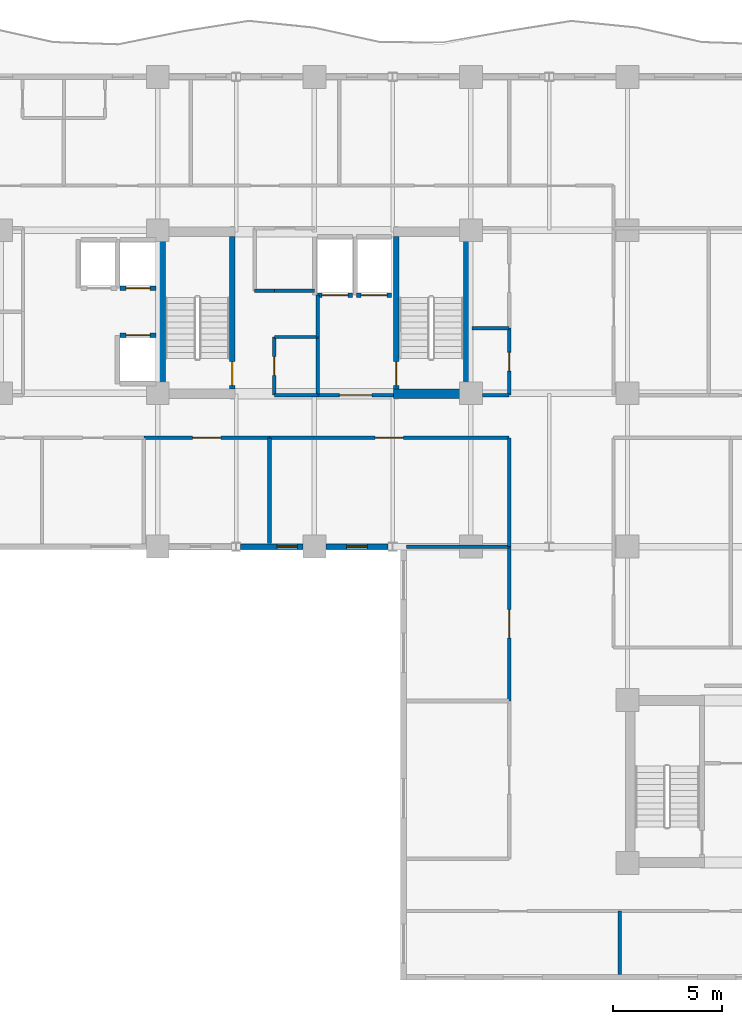
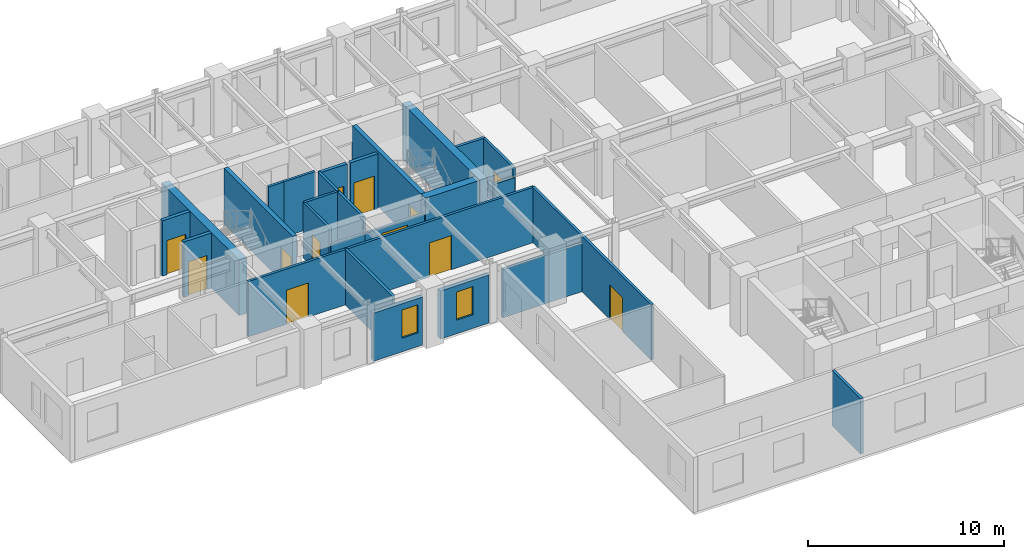
# One storey, part 5 of 13: 29 walls, 12 doors, 2 windows, 14 openings.
"""IFC4 building model written with IfcOpenShell, lengths in metres."""

from ifc_helpers import new_model, si_unit, direction, frame, frame_2d, origin, place, context, subcontext, project, spatial, rectangle, extrude, material, layer, layer_set, type_object, element, fill, save


model = new_model("IFC4")

# Units and contexts
model_context = context("Model", 3, precision=1e-05, world=origin(), true_north=direction((0.0, 1.0)))
body_context = subcontext(model_context, "Body", "Model", "MODEL_VIEW")
ifc_project = project(units=[si_unit("LENGTHUNIT", "METRE"), si_unit("AREAUNIT", "SQUARE_METRE"), si_unit("VOLUMEUNIT", "CUBIC_METRE"), si_unit("PLANEANGLEUNIT", "RADIAN"), si_unit("MASSUNIT", "GRAM", prefix="KILO")], contexts=[model_context])

# Site, building, storey
site_placement = place(None, origin())
site = spatial("IfcSite", under=ifc_project, at=site_placement, CompositionType="ELEMENT")
building_placement = place(site_placement, origin())
building = spatial("IfcBuilding", under=site, at=building_placement, Name="Kaliganga Portal Commons", CompositionType="ELEMENT")
storey_placement = place(building_placement, frame((0.0, 0.0, 162.39990234375)))
storey = spatial("IfcBuildingStorey", under=building, at=storey_placement, Name="L41", CompositionType="ELEMENT", Elevation=162.39990234375)

# Walls
ifc_material_1 = material(Name="Concrete C60/75", Category="concrete")
ifc_layer_1 = layer(ifc_material_1, 0.449951171875)
ifc_layer_set_1 = layer_set([ifc_layer_1], Name="Concrete C60/75")
wall_type_1 = type_object("IfcWallType", Name="WL-CORE-450", PredefinedType="SHEAR", material=ifc_layer_set_1)
for number, where, z_axis, x_axis, name in (
    (1, (14.52490234375, 28.39990234375, 0.0), (0.0, 0.0, 1.0), (0.0, 1.0, 0.0), "Core A West Shear Wall L41"),
    (2, (28.675048828125, 28.39990234375, 0.0), (0.0, 0.0, 1.0), (0.0, 1.0, 0.0), "Core A East Shear Wall L41"),
):
    element("IfcWall", number, at=place(storey_placement, frame(where, z_axis=z_axis, x_axis=x_axis)), inside=storey, type_object=wall_type_1, Name=name, PredefinedType="SHEAR", context=body_context, shape_type="SweptSolid", body=[
        extrude(rectangle(XDim=7.900146484375, YDim=0.449951171875, at=frame_2d((3.9501953125, 0.0))), origin(), (0.0, 0.0, 1.0), 3.460205078125),
    ])
wall_1_placement = place(storey_placement, frame((25.25, 28.625, 0.0), z_axis=(0.0, 0.0, 1.0), x_axis=(1.0, 0.0, 0.0)))
element("IfcWall", 3, at=wall_1_placement, inside=storey, type_object=wall_type_1, Name="Core A S-East Shear Wall L41", PredefinedType="SHEAR", context=body_context, shape_type="SweptSolid", body=[
    extrude(rectangle(XDim=3.199951171875, YDim=0.449951171875, at=frame_2d((1.60009765625, 0.0))), origin(), (0.0, 0.0, 1.0), 3.460205078125),
])

# Wall, opening, window
ifc_material_2 = material(Name="Insulated Aluminium-Clad Spandrel Assembly", Category="aluminium")
ifc_layer_2 = layer(ifc_material_2, 0.260009765625)
ifc_layer_set_2 = layer_set([ifc_layer_2], Name="Insulated Aluminium-Clad Spandrel Assembly")
wall_type_2 = type_object("IfcWallType", Name="WL-EXT-SPAND-260", PredefinedType="STANDARD", material=ifc_layer_set_2)
wall_2_placement = place(storey_placement, frame((21.073974609375, 21.60009765625, 0.0), z_axis=(0.0, 0.0, 1.0), x_axis=(-1.0, 0.0, 0.0)))
wall_2 = element("IfcWall", 4, at=wall_2_placement, inside=storey, type_object=wall_type_2, Name="Exterior Envelope Wall L41 P1-E04-S3", PredefinedType="STANDARD", context=body_context, shape_type="SweptSolid", body=[
    extrude(rectangle(XDim=2.87109375, YDim=0.260009765625, at=frame_2d((1.435546875, 0.0))), origin(), (0.0, 0.0, 1.0), 2.989990234375),
])
opening_1_placement = place(wall_2_placement, frame((0.24853515625, 0.0, 0.85009765625)))
opening_1 = element("IfcOpeningElement", 5, at=opening_1_placement, cuts=wall_2, Name="Opening W-04", PredefinedType="OPENING", context=body_context, shape_type="SweptSolid", body=[
    extrude(rectangle(XDim=0.949951171875, YDim=1.75, at=frame_2d((0.47509765625, 0.875))), frame((0.0, 0.14013671875, 0.0), z_axis=(0.0, -1.0, 0.0), x_axis=(1.0, 0.0, 0.0)), (0.0, 0.0, 1.0), 0.280029296875),
])
ifc_material_3 = material(Name="Thermally Broken Aluminium and Low-E Double Glazing", Category="aluminium")
window_type = type_object("IfcWindowType", Name="WIN-NARROW-950", PartitioningType="SINGLE_PANEL", PredefinedType="WINDOW", material=ifc_material_3)
window_1_placement = place(opening_1_placement, origin())
window_1 = element("IfcWindow", 6, at=window_1_placement, inside=storey, type_object=window_type, Name="Facade Window L41-P1E04S3-N1", OverallHeight=1.75, OverallWidth=0.949951171875, PartitioningType="SINGLE_PANEL", PredefinedType="WINDOW", context=body_context, shape_type="SweptSolid", body=[
    extrude(rectangle(XDim=0.949951171875, YDim=1.75, at=frame_2d((0.47509765625, 0.875))), frame((0.0, 0.030029296875, 0.0), z_axis=(0.0, -1.0, 0.0), x_axis=(1.0, 0.0, 0.0)), (0.0, 0.0, 1.0), 0.06005859375),
])
fill(opening_1, window_1)

wall_3_placement = place(storey_placement, frame((24.9970703125, 21.60009765625, 0.0), z_axis=(0.0, 0.0, 1.0), x_axis=(-1.0, 0.0, 0.0)))
wall_3 = element("IfcWall", 7, at=wall_3_placement, inside=storey, type_object=wall_type_2, Name="Exterior Envelope Wall L41 P1-E04-S4", PredefinedType="STANDARD", context=body_context, shape_type="SweptSolid", body=[
    extrude(rectangle(XDim=2.87109375, YDim=0.260009765625, at=frame_2d((1.435546875, 0.0))), origin(), (0.0, 0.0, 1.0), 2.989990234375),
])
opening_2_placement = place(wall_3_placement, frame((0.96044921875, 0.0, 0.85009765625)))
opening_2 = element("IfcOpeningElement", 8, at=opening_2_placement, cuts=wall_3, Name="Opening W-04", PredefinedType="OPENING", context=body_context, shape_type="SweptSolid", body=[
    extrude(rectangle(XDim=0.949951171875, YDim=1.75, at=frame_2d((0.47509765625, 0.875))), frame((0.0, 0.14013671875, 0.0), z_axis=(0.0, -1.0, 0.0), x_axis=(1.0, 0.0, 0.0)), (0.0, 0.0, 1.0), 0.280029296875),
])
window_2_placement = place(opening_2_placement, origin())
window_2 = element("IfcWindow", 9, at=window_2_placement, inside=storey, type_object=window_type, Name="Facade Window L41-P1E04S4-00", OverallHeight=1.75, OverallWidth=0.949951171875, PartitioningType="SINGLE_PANEL", PredefinedType="WINDOW", context=body_context, shape_type="SweptSolid", body=[
    extrude(rectangle(XDim=0.949951171875, YDim=1.75, at=frame_2d((0.47509765625, 0.875))), frame((0.0, 0.030029296875, 0.0), z_axis=(0.0, -1.0, 0.0), x_axis=(1.0, 0.0, 0.0)), (0.0, 0.0, 1.0), 0.06005859375),
])
fill(opening_2, window_2)

# Wall, opening, door
ifc_material_4 = material(Name="Fire-Rated Gypsum Board on Steel Stud", Category="steel")
ifc_layer_3 = layer(ifc_material_4, 0.14990234375)
ifc_layer_set_3 = layer_set([ifc_layer_3], Name="Fire-Rated Gypsum Board on Steel Stud")
wall_type_3 = type_object("IfcWallType", Name="WL-PART-CORR-150", PredefinedType="PARTITIONING", material=ifc_layer_set_3)
wall_4_placement = place(storey_placement, frame((19.5400390625, 26.60009765625, 0.0), z_axis=(0.0, 0.0, 1.0), x_axis=(1.0, 0.0, 0.0)))
wall_4 = element("IfcWall", 10, at=wall_4_placement, inside=storey, type_object=wall_type_3, Name="Interior Partition L41-012", PredefinedType="PARTITIONING", context=body_context, shape_type="SweptSolid", body=[
    extrude(rectangle(XDim=11.02001953125, YDim=0.14990234375, at=frame_2d((5.510009765625, 0.0))), origin(), (0.0, 0.0, 1.0), 3.440185546875),
])
opening_3_placement = place(wall_4_placement, frame((4.860107421875, 0.0, 0.0)))
opening_3 = element("IfcOpeningElement", 11, at=opening_3_placement, cuts=wall_4, Name="Opening RD-03", PredefinedType="OPENING", context=body_context, shape_type="SweptSolid", body=[
    extrude(rectangle(XDim=1.300048828125, YDim=2.1201171875, at=frame_2d((0.64990234375, 1.06005859375))), frame((0.0, 0.0849609375, 0.0), z_axis=(0.0, -1.0, 0.0), x_axis=(1.0, 0.0, 0.0)), (0.0, 0.0, 1.0), 0.169921875),
])
ifc_material_5 = material(Name="Glazed Timber Seminar Vision Door", Category="wood")
door_type_1 = type_object("IfcDoorType", Name="DR-STUDY-1300", OperationType="DOUBLE_DOOR_SINGLE_SWING", PredefinedType="DOOR", material=ifc_material_5)
door_1_placement = place(opening_3_placement, origin())
door_1 = element("IfcDoor", 12, at=door_1_placement, inside=storey, type_object=door_type_1, Name="Interior Door L41-AS05", OperationType="DOUBLE_DOOR_SINGLE_SWING", OverallHeight=2.1201171875, OverallWidth=1.300048828125, PredefinedType="DOOR", context=body_context, shape_type="SweptSolid", body=[
    extrude(rectangle(XDim=1.300048828125, YDim=2.1201171875, at=frame_2d((0.64990234375, 1.06005859375))), frame((0.0, 0.02490234375, 0.0), z_axis=(0.0, -1.0, 0.0), x_axis=(1.0, 0.0, 0.0)), (0.0, 0.0, 1.0), 0.050048828125),
])
fill(opening_3, door_1)

wall_5_placement = place(storey_placement, frame((30.56005859375, 14.5, 0.0), z_axis=(0.0, 0.0, 1.0), x_axis=(0.0, 1.0, 0.0)))
wall_5 = element("IfcWall", 13, at=wall_5_placement, inside=storey, type_object=wall_type_3, Name="Interior Partition L41-024", PredefinedType="PARTITIONING", context=body_context, shape_type="SweptSolid", body=[
    extrude(rectangle(XDim=7.10009765625, YDim=0.14990234375, at=frame_2d((3.550048828125, 0.0))), origin(), (0.0, 0.0, 1.0), 3.440185546875),
])
opening_4_placement = place(wall_5_placement, frame((2.89990234375, 0.0, 0.0)))
opening_4 = element("IfcOpeningElement", 14, at=opening_4_placement, cuts=wall_5, Name="Opening RD-03", PredefinedType="OPENING", context=body_context, shape_type="SweptSolid", body=[
    extrude(rectangle(XDim=1.300048828125, YDim=2.1201171875, at=frame_2d((0.64990234375, 1.06005859375))), frame((0.0, 0.0849609375, 0.0), z_axis=(0.0, -1.0, 0.0), x_axis=(1.0, 0.0, 0.0)), (0.0, 0.0, 1.0), 0.169921875),
])
door_2_placement = place(opening_4_placement, origin())
door_2 = element("IfcDoor", 15, at=door_2_placement, inside=storey, type_object=door_type_1, Name="Interior Door L41-KW02", OperationType="DOUBLE_DOOR_SINGLE_SWING", OverallHeight=2.1201171875, OverallWidth=1.300048828125, PredefinedType="DOOR", context=body_context, shape_type="SweptSolid", body=[
    extrude(rectangle(XDim=1.300048828125, YDim=2.1201171875, at=frame_2d((0.64990234375, 1.06005859375))), frame((0.0, 0.02490234375, 0.0), z_axis=(0.0, -1.0, 0.0), x_axis=(1.0, 0.0, 0.0)), (0.0, 0.0, 1.0), 0.050048828125),
])
fill(opening_4, door_2)

wall_6_placement = place(storey_placement, frame((13.760009765625, 26.60009765625, 0.0), z_axis=(0.0, 0.0, 1.0), x_axis=(1.0, 0.0, 0.0)))
wall_6 = element("IfcWall", 16, at=wall_6_placement, inside=storey, type_object=wall_type_3, Name="Interior Partition L41-030", PredefinedType="PARTITIONING", context=body_context, shape_type="SweptSolid", body=[
    extrude(rectangle(XDim=5.780029296875, YDim=0.14990234375, at=frame_2d((2.89013671875, 0.0))), origin(), (0.0, 0.0, 1.0), 3.440185546875),
])
opening_5_placement = place(wall_6_placement, frame((2.239990234375, 0.0, 0.0)))
opening_5 = element("IfcOpeningElement", 17, at=opening_5_placement, cuts=wall_6, Name="Opening RD-03", PredefinedType="OPENING", context=body_context, shape_type="SweptSolid", body=[
    extrude(rectangle(XDim=1.300048828125, YDim=2.1201171875, at=frame_2d((0.64990234375, 1.06005859375))), frame((0.0, 0.0849609375, 0.0), z_axis=(0.0, -1.0, 0.0), x_axis=(1.0, 0.0, 0.0)), (0.0, 0.0, 1.0), 0.169921875),
])
door_3_placement = place(opening_5_placement, origin())
door_3 = element("IfcDoor", 18, at=door_3_placement, inside=storey, type_object=door_type_1, Name="Interior Door L41-AS04", OperationType="DOUBLE_DOOR_SINGLE_SWING", OverallHeight=2.1201171875, OverallWidth=1.300048828125, PredefinedType="DOOR", context=body_context, shape_type="SweptSolid", body=[
    extrude(rectangle(XDim=1.300048828125, YDim=2.1201171875, at=frame_2d((0.64990234375, 1.06005859375))), frame((0.0, 0.02490234375, 0.0), z_axis=(0.0, -1.0, 0.0), x_axis=(1.0, 0.0, 0.0)), (0.0, 0.0, 1.0), 0.050048828125),
])
fill(opening_5, door_3)

# Wall
wall_7_placement = place(storey_placement, frame((30.56005859375, 21.60009765625, 0.0), z_axis=(0.0, 0.0, 1.0), x_axis=(0.0, 1.0, 0.0)))
element("IfcWall", 19, at=wall_7_placement, inside=storey, type_object=wall_type_3, Name="Interior Partition L41-035", PredefinedType="PARTITIONING", context=body_context, shape_type="SweptSolid", body=[
    extrude(rectangle(XDim=5.0, YDim=0.14990234375, at=frame_2d((2.5, 0.0))), origin(), (0.0, 0.0, 1.0), 3.440185546875),
])

# Wall, opening, door
wall_8_placement = place(storey_placement, frame((30.56005859375, 28.56005859375, 0.0), z_axis=(0.0, 0.0, 1.0), x_axis=(0.0, 1.0, 0.0)))
wall_8 = element("IfcWall", 20, at=wall_8_placement, inside=storey, type_object=wall_type_3, Name="Interior Partition L41-051", PredefinedType="PARTITIONING", context=body_context, shape_type="SweptSolid", body=[
    extrude(rectangle(XDim=3.079833984375, YDim=0.14990234375, at=frame_2d((1.5400390625, 0.0))), origin(), (0.0, 0.0, 1.0), 3.440185546875),
])
opening_6_placement = place(wall_8_placement, frame((1.110107421875, 0.0, 0.0)))
opening_6 = element("IfcOpeningElement", 21, at=opening_6_placement, cuts=wall_8, Name="Opening WD-02", PredefinedType="OPENING", context=body_context, shape_type="SweptSolid", body=[
    extrude(rectangle(XDim=0.860107421875, YDim=2.02001953125, at=frame_2d((0.43017578125, 1.010009765625))), frame((0.0, 0.0849609375, 0.0), z_axis=(0.0, -1.0, 0.0), x_axis=(1.0, 0.0, 0.0)), (0.0, 0.0, 1.0), 0.169921875),
])
ifc_material_6 = material(Name="Fire-Rated Utility Closet Door", Category="wood")
door_type_2 = type_object("IfcDoorType", Name="DR-STORE-800", OperationType="NOTDEFINED", PredefinedType="DOOR", material=ifc_material_6)
door_4_placement = place(opening_6_placement, origin())
door_4 = element("IfcDoor", 22, at=door_4_placement, inside=storey, type_object=door_type_2, Name="Interior Door L41-CSRV_A1", OperationType="SINGLE_SWING_RIGHT", OverallHeight=2.02001953125, OverallWidth=0.860107421875, PredefinedType="DOOR", context=body_context, shape_type="SweptSolid", body=[
    extrude(rectangle(XDim=0.860107421875, YDim=2.02001953125, at=frame_2d((0.43017578125, 1.010009765625))), frame((0.0, 0.02490234375, 0.0), z_axis=(0.0, -1.0, 0.0), x_axis=(1.0, 0.0, 0.0)), (0.0, 0.0, 1.0), 0.050048828125),
])
fill(opening_6, door_4)

wall_9_placement = place(storey_placement, frame((19.760009765625, 28.56005859375, 0.0), z_axis=(0.0, 0.0, 1.0), x_axis=(0.0, 1.0, 0.0)))
wall_9 = element("IfcWall", 23, at=wall_9_placement, inside=storey, type_object=wall_type_3, Name="Interior Partition L41-058", PredefinedType="PARTITIONING", context=body_context, shape_type="SweptSolid", body=[
    extrude(rectangle(XDim=2.679931640625, YDim=0.14990234375, at=frame_2d((1.33984375, 0.0))), origin(), (0.0, 0.0, 1.0), 3.440185546875),
])
opening_7_placement = place(wall_9_placement, frame((0.909912109375, 0.0, 0.0)))
opening_7 = element("IfcOpeningElement", 24, at=opening_7_placement, cuts=wall_9, Name="Opening WD-02", PredefinedType="OPENING", context=body_context, shape_type="SweptSolid", body=[
    extrude(rectangle(XDim=0.860107421875, YDim=2.02001953125, at=frame_2d((0.43017578125, 1.010009765625))), frame((0.0, 0.0849609375, 0.0), z_axis=(0.0, -1.0, 0.0), x_axis=(1.0, 0.0, 0.0)), (0.0, 0.0, 1.0), 0.169921875),
])
door_5_placement = place(opening_7_placement, origin())
door_5 = element("IfcDoor", 25, at=door_5_placement, inside=storey, type_object=door_type_2, Name="Interior Door L41-CIN_A1", OperationType="SINGLE_SWING_RIGHT", OverallHeight=2.02001953125, OverallWidth=0.860107421875, PredefinedType="DOOR", context=body_context, shape_type="SweptSolid", body=[
    extrude(rectangle(XDim=0.860107421875, YDim=2.02001953125, at=frame_2d((0.43017578125, 1.010009765625))), frame((0.0, 0.02490234375, 0.0), z_axis=(0.0, -1.0, 0.0), x_axis=(1.0, 0.0, 0.0)), (0.0, 0.0, 1.0), 0.050048828125),
])
fill(opening_7, door_5)

# Walls
wall_10_placement = place(storey_placement, frame((21.760009765625, 28.56005859375, 0.0), z_axis=(0.0, 0.0, 1.0), x_axis=(0.0, 1.0, 0.0)))
element("IfcWall", 26, at=wall_10_placement, inside=storey, type_object=wall_type_3, Name="Interior Partition L41-059", PredefinedType="PARTITIONING", context=body_context, shape_type="SweptSolid", body=[
    extrude(rectangle(XDim=2.679931640625, YDim=0.14990234375, at=frame_2d((1.33984375, 0.0))), origin(), (0.0, 0.0, 1.0), 3.440185546875),
])
wall_11_placement = place(storey_placement, frame((19.760009765625, 28.56005859375, 0.0), z_axis=(0.0, 0.0, 1.0), x_axis=(1.0, 0.0, 0.0)))
element("IfcWall", 27, at=wall_11_placement, inside=storey, type_object=wall_type_3, Name="Interior Partition L41-061", PredefinedType="PARTITIONING", context=body_context, shape_type="SweptSolid", body=[
    extrude(rectangle(XDim=2.0, YDim=0.14990234375, at=frame_2d((1.0, 0.0))), origin(), (0.0, 0.0, 1.0), 2.440185546875),
])
wall_12_placement = place(storey_placement, frame((19.760009765625, 31.239990234375, 0.0), z_axis=(0.0, 0.0, 1.0), x_axis=(1.0, 0.0, 0.0)))
element("IfcWall", 28, at=wall_12_placement, inside=storey, type_object=wall_type_3, Name="Interior Partition L41-062", PredefinedType="PARTITIONING", context=body_context, shape_type="SweptSolid", body=[
    extrude(rectangle(XDim=2.0, YDim=0.14990234375, at=frame_2d((1.0, 0.0))), origin(), (0.0, 0.0, 1.0), 3.440185546875),
])
wall_13_placement = place(storey_placement, frame((19.760009765625, 33.360107421875, 0.0), z_axis=(0.0, 0.0, 1.0), x_axis=(1.0, 0.0, 0.0)))
element("IfcWall", 29, at=wall_13_placement, inside=storey, type_object=wall_type_3, Name="Interior Partition L41-064", PredefinedType="PARTITIONING", context=body_context, shape_type="SweptSolid", body=[
    extrude(rectangle(XDim=1.85009765625, YDim=0.14990234375, at=frame_2d((0.925048828125, 0.0))), origin(), (0.0, 0.0, 1.0), 3.440185546875),
])
wall_14_placement = place(storey_placement, frame((29.324951171875, 28.56005859375, 0.0), z_axis=(0.0, 0.0, 1.0), x_axis=(1.0, 0.0, 0.0)))
element("IfcWall", 30, at=wall_14_placement, inside=storey, type_object=wall_type_3, Name="Interior Partition L41-065", PredefinedType="PARTITIONING", context=body_context, shape_type="SweptSolid", body=[
    extrude(rectangle(XDim=1.235107421875, YDim=0.14990234375, at=frame_2d((0.61767578125, 0.0))), origin(), (0.0, 0.0, 1.0), 2.840087890625),
])
wall_15_placement = place(storey_placement, frame((18.860107421875, 33.360107421875, 0.0), z_axis=(0.0, 0.0, 1.0), x_axis=(1.0, 0.0, 0.0)))
element("IfcWall", 31, at=wall_15_placement, inside=storey, type_object=wall_type_3, Name="Interior Partition L41-067", PredefinedType="PARTITIONING", context=body_context, shape_type="SweptSolid", body=[
    extrude(rectangle(XDim=0.89990234375, YDim=0.14990234375, at=frame_2d((0.449951171875, 0.0))), origin(), (0.0, 0.0, 1.0), 3.440185546875),
])

# Wall, opening, door
wall_16_placement = place(storey_placement, frame((21.760009765625, 28.56005859375, 0.0), z_axis=(0.0, 0.0, 1.0), x_axis=(1.0, 0.0, 0.0)))
wall_16 = element("IfcWall", 32, at=wall_16_placement, inside=storey, type_object=wall_type_3, Name="Interior Partition L41-088", PredefinedType="PARTITIONING", context=body_context, shape_type="SweptSolid", body=[
    extrude(rectangle(XDim=3.47998046875, YDim=0.14990234375, at=frame_2d((1.739990234375, 0.0))), origin(), (0.0, 0.0, 1.0), 2.440185546875),
])
opening_8_placement = place(wall_16_placement, frame((0.989990234375, 0.0, 0.0)))
opening_8 = element("IfcOpeningElement", 33, at=opening_8_placement, cuts=wall_16, Name="Opening FD-01", PredefinedType="OPENING", context=body_context, shape_type="SweptSolid", body=[
    extrude(rectangle(XDim=1.5, YDim=2.10009765625, at=frame_2d((0.75, 1.050048828125))), frame((0.0, 0.0849609375, 0.0), z_axis=(0.0, -1.0, 0.0), x_axis=(1.0, 0.0, 0.0)), (0.0, 0.0, 1.0), 0.169921875),
])
ifc_material_7 = material(Name="Fire-Rated Hardwood and Georgian-Wired Vision Panel", Category="wood")
door_type_3 = type_object("IfcDoorType", Name="DR-LOBBY-1500", OperationType="DOUBLE_DOOR_SINGLE_SWING", PredefinedType="DOOR", material=ifc_material_7)
door_6_placement = place(opening_8_placement, origin())
door_6 = element("IfcDoor", 34, at=door_6_placement, inside=storey, type_object=door_type_3, Name="Interior Door L41-FFLOB_A", OperationType="DOUBLE_DOOR_SINGLE_SWING", OverallHeight=2.10009765625, OverallWidth=1.5, PredefinedType="DOOR", context=body_context, shape_type="SweptSolid", body=[
    extrude(rectangle(XDim=1.5, YDim=2.10009765625, at=frame_2d((0.75, 1.050048828125))), frame((0.0, 0.02490234375, 0.0), z_axis=(0.0, -1.0, 0.0), x_axis=(1.0, 0.0, 0.0)), (0.0, 0.0, 1.0), 0.050048828125),
])
fill(opening_8, door_6)

# Walls
wall_17_placement = place(storey_placement, frame((21.760009765625, 31.239990234375, 0.0), z_axis=(0.0, 0.0, 1.0), x_axis=(0.0, 1.0, 0.0)))
element("IfcWall", 35, at=wall_17_placement, inside=storey, type_object=wall_type_3, Name="Interior Partition L41-094", PredefinedType="PARTITIONING", context=body_context, shape_type="SweptSolid", body=[
    extrude(rectangle(XDim=1.919921875, YDim=0.14990234375, at=frame_2d((0.9599609375, 0.0))), origin(), (0.0, 0.0, 1.0), 3.440185546875),
])
ifc_material_8 = material(Name="Twin-Stud Acoustic Gypsum Partition", Category="gypsum")
ifc_layer_4 = layer(ifc_material_8, 0.1650390625)
ifc_layer_set_4 = layer_set([ifc_layer_4], Name="Twin-Stud Acoustic Gypsum Partition")
wall_type_4 = type_object("IfcWallType", Name="WL-PART-UNIT-165", PredefinedType="PARTITIONING", material=ifc_layer_set_4)
wall_18_placement = place(storey_placement, frame((19.5400390625, 21.73193359375, 0.0), z_axis=(0.0, 0.0, 1.0), x_axis=(0.0, 1.0, 0.0)))
element("IfcWall", 36, at=wall_18_placement, inside=storey, type_object=wall_type_4, Name="Interior Partition L41-079", PredefinedType="PARTITIONING", context=body_context, shape_type="SweptSolid", body=[
    extrude(rectangle(XDim=4.8681640625, YDim=0.1650390625, at=frame_2d((2.43408203125, 0.0))), origin(), (0.0, 0.0, 1.0), 3.440185546875),
])
wall_19_placement = place(storey_placement, frame((25.83203125, 21.60009765625, 0.0), z_axis=(0.0, 0.0, 1.0), x_axis=(1.0, 0.0, 0.0)))
element("IfcWall", 37, at=wall_19_placement, inside=storey, type_object=wall_type_4, Name="Interior Partition L41-083", PredefinedType="PARTITIONING", context=body_context, shape_type="SweptSolid", body=[
    extrude(rectangle(XDim=4.72802734375, YDim=0.1650390625, at=frame_2d((2.364013671875, 0.0))), origin(), (0.0, 0.0, 1.0), 2.989990234375),
])
wall_20_placement = place(storey_placement, frame((35.639892578125, 1.931884765625, 0.0), z_axis=(0.0, 0.0, 1.0), x_axis=(0.0, 1.0, 0.0)))
element("IfcWall", 38, at=wall_20_placement, inside=storey, type_object=wall_type_4, Name="Interior Partition L41-092", PredefinedType="PARTITIONING", context=body_context, shape_type="SweptSolid", body=[
    extrude(rectangle(XDim=2.908203125, YDim=0.1650390625, at=frame_2d((1.4541015625, 0.0))), origin(), (0.0, 0.0, 1.0), 3.440185546875),
])
wall_21_placement = place(storey_placement, frame((28.840087890625, 31.639892578125, 0.0), z_axis=(0.0, 0.0, 1.0), x_axis=(1.0, 0.0, 0.0)))
element("IfcWall", 39, at=wall_21_placement, inside=storey, type_object=wall_type_4, Name="Interior Partition L41-095", PredefinedType="PARTITIONING", context=body_context, shape_type="SweptSolid", body=[
    extrude(rectangle(XDim=1.719970703125, YDim=0.1650390625, at=frame_2d((0.85986328125, 0.0))), origin(), (0.0, 0.0, 1.0), 3.440185546875),
])

# Wall, opening, door
ifc_material_9 = material(Name="Fire-Rated Shaftwall Masonry Assembly", Category="masonry")
ifc_layer_5 = layer(ifc_material_9, 0.199951171875)
ifc_layer_set_5 = layer_set([ifc_layer_5], Name="Fire-Rated Shaftwall Masonry Assembly")
wall_type_5 = type_object("IfcWallType", Name="WL-SHAFT-200", PredefinedType="PARTITIONING", material=ifc_layer_set_5)
wall_22_placement = place(storey_placement, frame((12.675048828125, 33.485107421875, 0.0), z_axis=(0.0, 0.0, 1.0), x_axis=(1.0, 0.0, 0.0)))
wall_22 = element("IfcWall", 40, at=wall_22_placement, inside=storey, type_object=wall_type_5, Name="Lift PL-A3 Hoistway Shaft Wall L41-S", PredefinedType="PARTITIONING", context=body_context, shape_type="SweptSolid", body=[
    extrude(rectangle(XDim=1.64990234375, YDim=0.199951171875, at=frame_2d((0.824951171875, 0.0))), origin(), (0.0, 0.0, 1.0), 3.440185546875),
])
opening_9_placement = place(wall_22_placement, frame((0.27490234375, 0.0, 0.0)))
opening_9 = element("IfcOpeningElement", 41, at=opening_9_placement, cuts=wall_22, Name="Opening LD-01", PredefinedType="OPENING", context=body_context, shape_type="SweptSolid", body=[
    extrude(rectangle(XDim=1.10009765625, YDim=2.1201171875, at=frame_2d((0.550048828125, 1.06005859375))), frame((0.0, 0.10986328125, 0.0), z_axis=(0.0, -1.0, 0.0), x_axis=(1.0, 0.0, 0.0)), (0.0, 0.0, 1.0), 0.219970703125),
])
ifc_material_10 = material(Name="Brushed Stainless Steel 316 Lift Landing Door", Category="steel")
door_type_4 = type_object("IfcDoorType", Name="DR-LIFT-1100", OperationType="SLIDING_TO_LEFT", PredefinedType="DOOR", material=ifc_material_10)
door_7_placement = place(opening_9_placement, origin())
door_7 = element("IfcDoor", 42, at=door_7_placement, inside=storey, type_object=door_type_4, Name="Lift PL-A3 Sliding Landing Door L41", OperationType="SLIDING_TO_LEFT", OverallHeight=2.1201171875, OverallWidth=1.10009765625, PredefinedType="DOOR", context=body_context, shape_type="SweptSolid", body=[
    extrude(rectangle(XDim=1.10009765625, YDim=2.1201171875, at=frame_2d((0.550048828125, 1.06005859375))), frame((0.0, 0.02490234375, 0.0), z_axis=(0.0, -1.0, 0.0), x_axis=(1.0, 0.0, 0.0)), (0.0, 0.0, 1.0), 0.050048828125),
])
fill(opening_9, door_7)

wall_23_placement = place(storey_placement, frame((12.675048828125, 31.31494140625, 0.0), z_axis=(0.0, 0.0, 1.0), x_axis=(1.0, 0.0, 0.0)))
wall_23 = element("IfcWall", 43, at=wall_23_placement, inside=storey, type_object=wall_type_5, Name="Lift PL-A4 Hoistway Shaft Wall L41-N", PredefinedType="PARTITIONING", context=body_context, shape_type="SweptSolid", body=[
    extrude(rectangle(XDim=1.64990234375, YDim=0.199951171875, at=frame_2d((0.824951171875, 0.0))), origin(), (0.0, 0.0, 1.0), 3.440185546875),
])
opening_10_placement = place(wall_23_placement, frame((0.27490234375, 0.0, 0.0)))
opening_10 = element("IfcOpeningElement", 44, at=opening_10_placement, cuts=wall_23, Name="Opening LD-01", PredefinedType="OPENING", context=body_context, shape_type="SweptSolid", body=[
    extrude(rectangle(XDim=1.10009765625, YDim=2.1201171875, at=frame_2d((0.550048828125, 1.06005859375))), frame((0.0, 0.10986328125, 0.0), z_axis=(0.0, -1.0, 0.0), x_axis=(1.0, 0.0, 0.0)), (0.0, 0.0, 1.0), 0.219970703125),
])
door_8_placement = place(opening_10_placement, origin())
door_8 = element("IfcDoor", 45, at=door_8_placement, inside=storey, type_object=door_type_4, Name="Lift PL-A4 Sliding Landing Door L41", OperationType="SLIDING_TO_LEFT", OverallHeight=2.1201171875, OverallWidth=1.10009765625, PredefinedType="DOOR", context=body_context, shape_type="SweptSolid", body=[
    extrude(rectangle(XDim=1.10009765625, YDim=2.1201171875, at=frame_2d((0.550048828125, 1.06005859375))), frame((0.0, 0.02490234375, 0.0), z_axis=(0.0, -1.0, 0.0), x_axis=(1.0, 0.0, 0.0)), (0.0, 0.0, 1.0), 0.050048828125),
])
fill(opening_10, door_8)

wall_24_placement = place(storey_placement, frame((21.75, 33.159912109375, 0.0), z_axis=(0.0, 0.0, 1.0), x_axis=(1.0, 0.0, 0.0)))
wall_24 = element("IfcWall", 46, at=wall_24_placement, inside=storey, type_object=wall_type_5, Name="Lift FFL-1 Hoistway Shaft Wall L41-S", PredefinedType="PARTITIONING", context=body_context, shape_type="SweptSolid", body=[
    extrude(rectangle(XDim=1.60009765625, YDim=0.199951171875, at=frame_2d((0.800048828125, 0.0))), origin(), (0.0, 0.0, 1.0), 3.440185546875),
])
opening_11_placement = place(wall_24_placement, frame((0.199951171875, 0.0, 0.0)))
opening_11 = element("IfcOpeningElement", 47, at=opening_11_placement, cuts=wall_24, Name="Opening LD-02", PredefinedType="OPENING", context=body_context, shape_type="SweptSolid", body=[
    extrude(rectangle(XDim=1.199951171875, YDim=2.1201171875, at=frame_2d((0.60009765625, 1.06005859375))), frame((0.0, 0.10986328125, 0.0), z_axis=(0.0, -1.0, 0.0), x_axis=(1.0, 0.0, 0.0)), (0.0, 0.0, 1.0), 0.219970703125),
])
ifc_material_11 = material(Name="Brushed Stainless Steel 316 Stretcher Lift Landing Door", Category="steel")
door_type_5 = type_object("IfcDoorType", Name="DR-LIFT-1200", OperationType="SLIDING_TO_RIGHT", PredefinedType="DOOR", material=ifc_material_11)
door_9_placement = place(opening_11_placement, origin())
door_9 = element("IfcDoor", 48, at=door_9_placement, inside=storey, type_object=door_type_5, Name="Lift FFL-1 Sliding Landing Door L41", OperationType="SLIDING_TO_RIGHT", OverallHeight=2.1201171875, OverallWidth=1.199951171875, PredefinedType="DOOR", context=body_context, shape_type="SweptSolid", body=[
    extrude(rectangle(XDim=1.199951171875, YDim=2.1201171875, at=frame_2d((0.60009765625, 1.06005859375))), frame((0.0, 0.02490234375, 0.0), z_axis=(0.0, -1.0, 0.0), x_axis=(1.0, 0.0, 0.0)), (0.0, 0.0, 1.0), 0.050048828125),
])
fill(opening_11, door_9)

wall_25_placement = place(storey_placement, frame((23.550048828125, 33.159912109375, 0.0), z_axis=(0.0, 0.0, 1.0), x_axis=(1.0, 0.0, 0.0)))
wall_25 = element("IfcWall", 49, at=wall_25_placement, inside=storey, type_object=wall_type_5, Name="Lift FFL-2 Hoistway Shaft Wall L41-S", PredefinedType="PARTITIONING", context=body_context, shape_type="SweptSolid", body=[
    extrude(rectangle(XDim=1.599853515625, YDim=0.199951171875, at=frame_2d((0.7998046875, 0.0))), origin(), (0.0, 0.0, 1.0), 3.440185546875),
])
opening_12_placement = place(wall_25_placement, frame((0.199951171875, 0.0, 0.0)))
opening_12 = element("IfcOpeningElement", 50, at=opening_12_placement, cuts=wall_25, Name="Opening LD-02", PredefinedType="OPENING", context=body_context, shape_type="SweptSolid", body=[
    extrude(rectangle(XDim=1.199951171875, YDim=2.1201171875, at=frame_2d((0.60009765625, 1.06005859375))), frame((0.0, 0.10986328125, 0.0), z_axis=(0.0, -1.0, 0.0), x_axis=(1.0, 0.0, 0.0)), (0.0, 0.0, 1.0), 0.219970703125),
])
door_10_placement = place(opening_12_placement, origin())
door_10 = element("IfcDoor", 51, at=door_10_placement, inside=storey, type_object=door_type_5, Name="Lift FFL-2 Sliding Landing Door L41", OperationType="SLIDING_TO_RIGHT", OverallHeight=2.1201171875, OverallWidth=1.199951171875, PredefinedType="DOOR", context=body_context, shape_type="SweptSolid", body=[
    extrude(rectangle(XDim=1.199951171875, YDim=2.1201171875, at=frame_2d((0.60009765625, 1.06005859375))), frame((0.0, 0.02490234375, 0.0), z_axis=(0.0, -1.0, 0.0), x_axis=(1.0, 0.0, 0.0)), (0.0, 0.0, 1.0), 0.050048828125),
])
fill(opening_12, door_10)

ifc_material_12 = material(Name="Concrete C50/60", Category="concrete")
ifc_layer_6 = layer(ifc_material_12, 0.25)
ifc_layer_set_6 = layer_set([ifc_layer_6], Name="Concrete C50/60")
wall_type_6 = type_object("IfcWallType", Name="WL-STAIR-250", PredefinedType="SHEAR", material=ifc_layer_set_6)
wall_26_placement = place(storey_placement, frame((17.824951171875, 28.85009765625, 0.0), z_axis=(0.0, 0.0, 1.0), x_axis=(0.0, 1.0, 0.0)))
wall_26 = element("IfcWall", 52, at=wall_26_placement, inside=storey, type_object=wall_type_6, Name="Stair A1 Enclosure Shear Wall L41", PredefinedType="SHEAR", context=body_context, shape_type="SweptSolid", body=[
    extrude(rectangle(XDim=7.0, YDim=0.25, at=frame_2d((3.5, 0.0))), origin(), (0.0, 0.0, 1.0), 3.460205078125),
])
opening_13_placement = place(wall_26_placement, frame((0.14990234375, 0.0, 0.0)))
opening_13 = element("IfcOpeningElement", 53, at=opening_13_placement, cuts=wall_26, Name="Opening SD-01", PredefinedType="OPENING", context=body_context, shape_type="SweptSolid", body=[
    extrude(rectangle(XDim=1.10009765625, YDim=2.080078125, at=frame_2d((0.550048828125, 1.0400390625))), frame((0.0, 0.135009765625, 0.0), z_axis=(0.0, -1.0, 0.0), x_axis=(1.0, 0.0, 0.0)), (0.0, 0.0, 1.0), 0.27001953125),
])
ifc_material_13 = material(Name="Galvanized Steel Fire Door Leaf and Frame", Category="steel")
door_type_6 = type_object("IfcDoorType", Name="DR-STAIR-1100", OperationType="NOTDEFINED", PredefinedType="DOOR", material=ifc_material_13)
door_11_placement = place(opening_13_placement, origin())
door_11 = element("IfcDoor", 54, at=door_11_placement, inside=storey, type_object=door_type_6, Name="Protected Stair ST-A1 Fire Door L41", OperationType="SINGLE_SWING_LEFT", OverallHeight=2.080078125, OverallWidth=1.10009765625, PredefinedType="DOOR", context=body_context, shape_type="SweptSolid", body=[
    extrude(rectangle(XDim=1.10009765625, YDim=2.080078125, at=frame_2d((0.550048828125, 1.0400390625))), frame((0.0, 0.02490234375, 0.0), z_axis=(0.0, -1.0, 0.0), x_axis=(1.0, 0.0, 0.0)), (0.0, 0.0, 1.0), 0.050048828125),
])
fill(opening_13, door_11)

wall_27_placement = place(storey_placement, frame((25.375, 28.85009765625, 0.0), z_axis=(0.0, 0.0, 1.0), x_axis=(0.0, 1.0, 0.0)))
wall_27 = element("IfcWall", 55, at=wall_27_placement, inside=storey, type_object=wall_type_6, Name="Stair A2 Enclosure Shear Wall L41", PredefinedType="SHEAR", context=body_context, shape_type="SweptSolid", body=[
    extrude(rectangle(XDim=7.0, YDim=0.25, at=frame_2d((3.5, 0.0))), origin(), (0.0, 0.0, 1.0), 3.460205078125),
])
opening_14_placement = place(wall_27_placement, frame((0.14990234375, 0.0, 0.0)))
opening_14 = element("IfcOpeningElement", 56, at=opening_14_placement, cuts=wall_27, Name="Opening SD-01", PredefinedType="OPENING", context=body_context, shape_type="SweptSolid", body=[
    extrude(rectangle(XDim=1.10009765625, YDim=2.080078125, at=frame_2d((0.550048828125, 1.0400390625))), frame((0.0, 0.135009765625, 0.0), z_axis=(0.0, -1.0, 0.0), x_axis=(1.0, 0.0, 0.0)), (0.0, 0.0, 1.0), 0.27001953125),
])
door_12_placement = place(opening_14_placement, origin())
door_12 = element("IfcDoor", 57, at=door_12_placement, inside=storey, type_object=door_type_6, Name="Protected Stair ST-A2 Fire Door L41", OperationType="SINGLE_SWING_RIGHT", OverallHeight=2.080078125, OverallWidth=1.10009765625, PredefinedType="DOOR", context=body_context, shape_type="SweptSolid", body=[
    extrude(rectangle(XDim=1.10009765625, YDim=2.080078125, at=frame_2d((0.550048828125, 1.0400390625))), frame((0.0, 0.02490234375, 0.0), z_axis=(0.0, -1.0, 0.0), x_axis=(1.0, 0.0, 0.0)), (0.0, 0.0, 1.0), 0.050048828125),
])
fill(opening_14, door_12)

save(model, "model.ifc")
